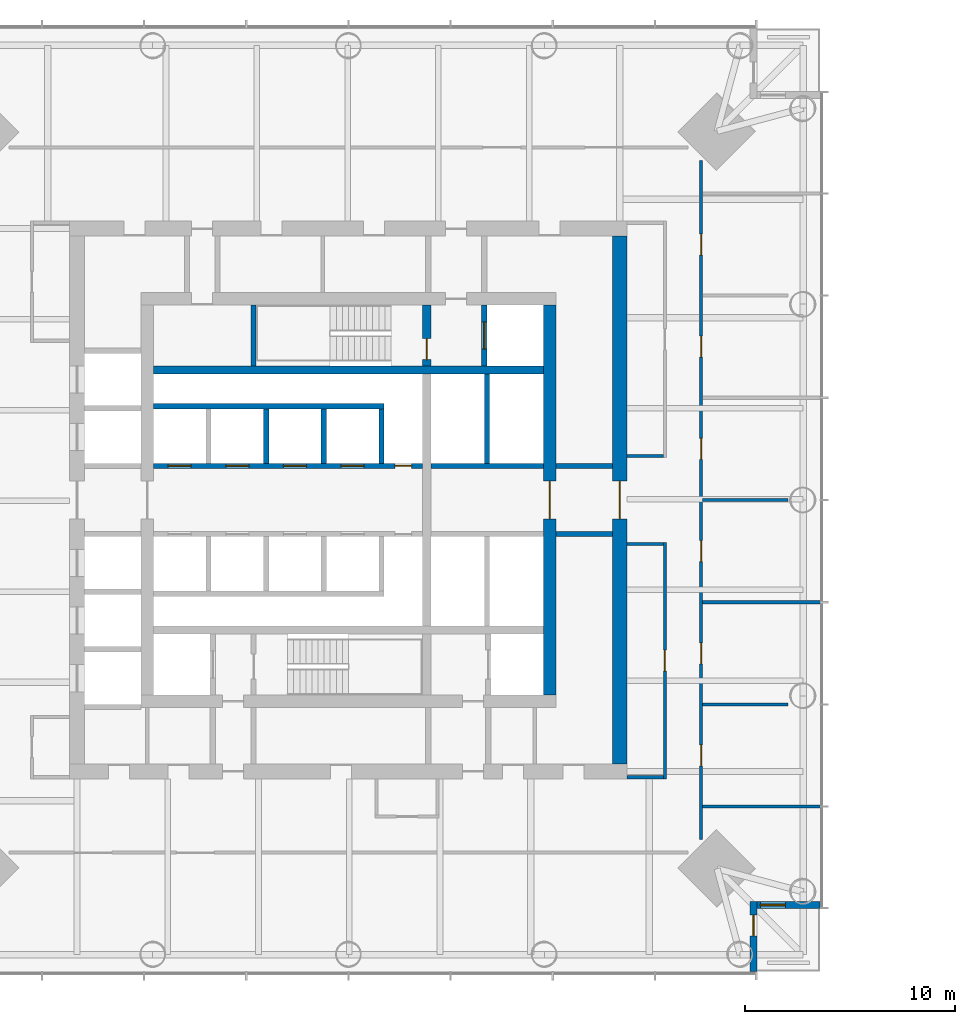
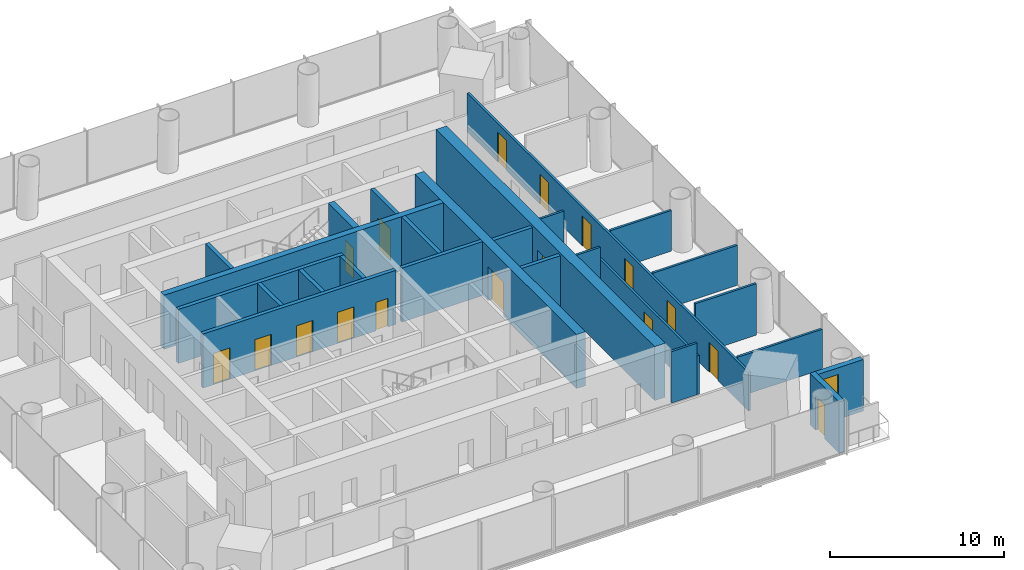
# One storey, part 10 of 18: 26 walls, 17 doors, 1 window, 18 openings.
"""IFC4 building model written with IfcOpenShell, lengths in metres."""

from ifc_helpers import new_model, si_unit, direction, frame, frame_2d, origin, place, context, subcontext, project, spatial, rectangle, extrude, material, layer, layer_set, type_object, element, fill, save


model = new_model("IFC4")

# Units and contexts
model_context = context("Model", 3, precision=1e-05, world=origin(), true_north=direction((0.0, 1.0)))
body_context = subcontext(model_context, "Body", "Model", "MODEL_VIEW")
ifc_project = project(units=[si_unit("LENGTHUNIT", "METRE"), si_unit("AREAUNIT", "SQUARE_METRE"), si_unit("VOLUMEUNIT", "CUBIC_METRE"), si_unit("PLANEANGLEUNIT", "RADIAN"), si_unit("MASSUNIT", "GRAM", prefix="KILO")], contexts=[model_context])

# Site, building, storey
site_placement = place(None, origin())
site = spatial("IfcSite", under=ifc_project, at=site_placement, CompositionType="ELEMENT")
building_placement = place(site_placement, origin())
building = spatial("IfcBuilding", under=site, at=building_placement, Name="Ostroluk Exchange", CompositionType="ELEMENT")
storey_placement = place(building_placement, frame((0.0, 0.0, 93.199951171875)))
storey = spatial("IfcBuildingStorey", under=building, at=storey_placement, Name="L23", CompositionType="ELEMENT", Elevation=93.199951171875)

# Walls
ifc_material_1 = material(Name="Concrete blockwork", Category="masonry")
ifc_layer_1 = layer(ifc_material_1, 0.25)
ifc_layer_set_1 = layer_set([ifc_layer_1], Name="Blockwork stair enclosure wall 250")
wall_type_1 = type_object("IfcWallType", Name="Blockwork stair enclosure wall 250", PredefinedType="SOLIDWALL", material=ifc_layer_set_1)
for number, where, z_axis, x_axis, name in (
    (1, (54.89990234375, 44.375, 0.0), (0.0, 0.0, 1.0), (1.0, 0.0, 0.0), "Lift lobby enclosure wall"),
    (2, (54.89990234375, 47.625, 0.0), (0.0, 0.0, 1.0), (1.0, 0.0, 0.0), "Lift lobby enclosure wall"),
):
    element("IfcWall", number, at=place(storey_placement, frame(where, z_axis=z_axis, x_axis=x_axis)), inside=storey, type_object=wall_type_1, Name=name, PredefinedType="SOLIDWALL", context=body_context, shape_type="SweptSolid", body=[
        extrude(rectangle(XDim=2.7001953125, YDim=0.25, at=frame_2d((1.35009765625, 0.0))), origin(), (0.0, 0.0, 1.0), 3.6201171875),
    ])
ifc_material_2 = material(Name="Concrete C50/60", Category="concrete")
ifc_layer_2 = layer(ifc_material_2, 0.39990234375)
ifc_layer_set_2 = layer_set([ifc_layer_2], Name="Core cross wall 400 C50/60")
wall_type_2 = type_object("IfcWallType", Name="Core cross wall 400 C50/60", PredefinedType="SHEAR", material=ifc_layer_set_2)
wall_1_placement = place(storey_placement, frame((35.699951171875, 52.199951171875, 0.0), z_axis=(0.0, 0.0, 1.0), x_axis=(1.0, 0.0, 0.0)))
element("IfcWall", 3, at=wall_1_placement, inside=storey, type_object=wall_type_2, Name="T1 core wall XN", PredefinedType="SHEAR", context=body_context, shape_type="SweptSolid", body=[
    extrude(rectangle(XDim=18.60009765625, YDim=0.39990234375, at=frame_2d((9.300048828125, 0.0))), origin(), (0.0, 0.0, 1.0), 3.800048828125),
])

# Wall, opening, door
wall_2_placement = place(storey_placement, frame((48.72998046875, 52.39990234375, 0.0), z_axis=(0.0, 0.0, 1.0), x_axis=(0.0, 1.0, 0.0)))
wall_2 = element("IfcWall", 4, at=wall_2_placement, inside=storey, type_object=wall_type_2, Name="T1 core wall YE3", PredefinedType="SHEAR", context=body_context, shape_type="SweptSolid", body=[
    extrude(rectangle(XDim=2.900146484375, YDim=0.39990234375, at=frame_2d((1.4501953125, 0.0))), origin(), (0.0, 0.0, 1.0), 3.800048828125),
])
opening_1_placement = place(wall_2_placement, frame((0.300048828125, 0.0, 0.0)))
opening_1 = element("IfcOpeningElement", 5, at=opening_1_placement, cuts=wall_2, Name="Opening FD60", PredefinedType="OPENING", context=body_context, shape_type="SweptSolid", body=[
    extrude(rectangle(XDim=1.0, YDim=2.10009765625, at=frame_2d((0.5, 1.050048828125))), frame((0.0, 0.2099609375, 0.0), z_axis=(0.0, -1.0, 0.0), x_axis=(1.0, 0.0, 0.0)), (0.0, 0.0, 1.0), 0.419921875),
])
ifc_material_3 = material(Name="Steel", Category="steel")
door_type_1 = type_object("IfcDoorType", Name="Fire door EI 60 1000 x 2100", OperationType="SINGLE_SWING_LEFT", PredefinedType="DOOR", material=ifc_material_3)
door_1_placement = place(opening_1_placement, origin())
door_1 = element("IfcDoor", 6, at=door_1_placement, inside=storey, type_object=door_type_1, Name="Stair T1-S2 door", OperationType="SINGLE_SWING_LEFT", OverallHeight=2.10009765625, OverallWidth=1.0, PredefinedType="DOOR", context=body_context, shape_type="SweptSolid", body=[
    extrude(rectangle(XDim=1.0, YDim=2.10009765625, at=frame_2d((0.5, 1.050048828125))), frame((0.0, 0.02490234375, 0.0), z_axis=(0.0, -1.0, 0.0), x_axis=(1.0, 0.0, 0.0)), (0.0, 0.0, 1.0), 0.050048828125),
])
fill(opening_1, door_1)

# Wall
ifc_material_4 = material(Name="Concrete C40/50", Category="concrete")
ifc_layer_3 = layer(ifc_material_4, 0.25)
ifc_layer_set_3 = layer_set([ifc_layer_3], Name="Core shaft wall 250")
wall_type_3 = type_object("IfcWallType", Name="Core shaft wall 250", PredefinedType="SHEAR", material=ifc_layer_set_3)
wall_3_placement = place(storey_placement, frame((40.47509765625, 52.39990234375, 0.0), z_axis=(0.0, 0.0, 1.0), x_axis=(0.0, 1.0, 0.0)))
element("IfcWall", 7, at=wall_3_placement, inside=storey, type_object=wall_type_3, Name="Stair shaft wall", PredefinedType="SHEAR", context=body_context, shape_type="SweptSolid", body=[
    extrude(rectangle(XDim=2.900146484375, YDim=0.25, at=frame_2d((1.4501953125, 0.0))), origin(), (0.0, 0.0, 1.0), 3.800048828125),
])

# Wall, opening, door
wall_4_placement = place(storey_placement, frame((51.47509765625, 52.39990234375, 0.0), z_axis=(0.0, 0.0, 1.0), x_axis=(0.0, 1.0, 0.0)))
wall_4 = element("IfcWall", 8, at=wall_4_placement, inside=storey, type_object=wall_type_3, Name="Firefighting lift shaft wall", PredefinedType="SHEAR", context=body_context, shape_type="SweptSolid", body=[
    extrude(rectangle(XDim=2.900146484375, YDim=0.25, at=frame_2d((1.4501953125, 0.0))), origin(), (0.0, 0.0, 1.0), 3.800048828125),
])
opening_2_placement = place(wall_4_placement, frame((0.800048828125, 0.0, 0.0)))
opening_2 = element("IfcOpeningElement", 9, at=opening_2_placement, cuts=wall_4, Name="Opening LD2", PredefinedType="OPENING", context=body_context, shape_type="SweptSolid", body=[
    extrude(rectangle(XDim=1.300048828125, YDim=2.199951171875, at=frame_2d((0.64990234375, 1.10009765625))), frame((0.0, 0.135009765625, 0.0), z_axis=(0.0, -1.0, 0.0), x_axis=(1.0, 0.0, 0.0)), (0.0, 0.0, 1.0), 0.27001953125),
])
ifc_material_5 = material(Name="Stainless steel", Category="steel")
door_type_2 = type_object("IfcDoorType", Name="Lift landing door E 60 1300 x 2200", OperationType="DOUBLE_DOOR_SLIDING", PredefinedType="DOOR", material=ifc_material_5)
door_2_placement = place(opening_2_placement, origin())
door_2 = element("IfcDoor", 10, at=door_2_placement, inside=storey, type_object=door_type_2, Name="Lift FL2 landing door", OperationType="DOUBLE_DOOR_SLIDING", OverallHeight=2.199951171875, OverallWidth=1.300048828125, PredefinedType="DOOR", context=body_context, shape_type="SweptSolid", body=[
    extrude(rectangle(XDim=1.300048828125, YDim=2.199951171875, at=frame_2d((0.64990234375, 1.10009765625))), frame((0.0, 0.02490234375, 0.0), z_axis=(0.0, -1.0, 0.0), x_axis=(1.0, 0.0, 0.0)), (0.0, 0.0, 1.0), 0.050048828125),
])
fill(opening_2, door_2)

# Walls
for number, where, z_axis, x_axis, name in (
    (11, (41.074951171875, 47.75, 0.0), (0.0, 0.0, 1.0), (0.0, 1.0, 0.0), "Lift shaft wall"),
    (12, (43.824951171875, 47.75, 0.0), (0.0, 0.0, 1.0), (0.0, 1.0, 0.0), "Lift shaft wall"),
    (13, (46.574951171875, 47.75, 0.0), (0.0, 0.0, 1.0), (0.0, 1.0, 0.0), "Lift shaft wall"),
):
    element("IfcWall", number, at=place(storey_placement, frame(where, z_axis=z_axis, x_axis=x_axis)), inside=storey, type_object=wall_type_3, Name=name, PredefinedType="SHEAR", context=body_context, shape_type="SweptSolid", body=[
        extrude(rectangle(XDim=2.60009765625, YDim=0.25, at=frame_2d((1.300048828125, 0.0))), origin(), (0.0, 0.0, 1.0), 3.800048828125),
    ])
wall_5_placement = place(storey_placement, frame((35.699951171875, 50.47509765625, 0.0), z_axis=(0.0, 0.0, 1.0), x_axis=(1.0, 0.0, 0.0)))
element("IfcWall", 14, at=wall_5_placement, inside=storey, type_object=wall_type_3, Name="Lift shaft wall", PredefinedType="SHEAR", context=body_context, shape_type="SweptSolid", body=[
    extrude(rectangle(XDim=11.0, YDim=0.25, at=frame_2d((5.5, 0.0))), origin(), (0.0, 0.0, 1.0), 3.800048828125),
])

# Wall, openings, doors
wall_6_placement = place(storey_placement, frame((35.699951171875, 47.625, 0.0), z_axis=(0.0, 0.0, 1.0), x_axis=(1.0, 0.0, 0.0)))
wall_6 = element("IfcWall", 15, at=wall_6_placement, inside=storey, type_object=wall_type_3, Name="Lift shaft front wall", PredefinedType="SHEAR", context=body_context, shape_type="SweptSolid", body=[
    extrude(rectangle(XDim=12.830078125, YDim=0.25, at=frame_2d((6.4150390625, 0.0))), origin(), (0.0, 0.0, 1.0), 3.800048828125),
])
opening_3_placement = place(wall_6_placement, frame((0.699951171875, 0.0, 0.0)))
opening_3 = element("IfcOpeningElement", 16, at=opening_3_placement, cuts=wall_6, Name="Opening LD", PredefinedType="OPENING", context=body_context, shape_type="SweptSolid", body=[
    extrude(rectangle(XDim=1.10009765625, YDim=2.199951171875, at=frame_2d((0.550048828125, 1.10009765625))), frame((0.0, 0.135009765625, 0.0), z_axis=(0.0, -1.0, 0.0), x_axis=(1.0, 0.0, 0.0)), (0.0, 0.0, 1.0), 0.27001953125),
])
opening_4_placement = place(wall_6_placement, frame((3.449951171875, 0.0, 0.0)))
opening_4 = element("IfcOpeningElement", 17, at=opening_4_placement, cuts=wall_6, Name="Opening LD", PredefinedType="OPENING", context=body_context, shape_type="SweptSolid", body=[
    extrude(rectangle(XDim=1.10009765625, YDim=2.199951171875, at=frame_2d((0.550048828125, 1.10009765625))), frame((0.0, 0.135009765625, 0.0), z_axis=(0.0, -1.0, 0.0), x_axis=(1.0, 0.0, 0.0)), (0.0, 0.0, 1.0), 0.27001953125),
])
opening_5_placement = place(wall_6_placement, frame((6.199951171875, 0.0, 0.0)))
opening_5 = element("IfcOpeningElement", 18, at=opening_5_placement, cuts=wall_6, Name="Opening LD", PredefinedType="OPENING", context=body_context, shape_type="SweptSolid", body=[
    extrude(rectangle(XDim=1.10009765625, YDim=2.199951171875, at=frame_2d((0.550048828125, 1.10009765625))), frame((0.0, 0.135009765625, 0.0), z_axis=(0.0, -1.0, 0.0), x_axis=(1.0, 0.0, 0.0)), (0.0, 0.0, 1.0), 0.27001953125),
])
opening_6_placement = place(wall_6_placement, frame((8.949951171875, 0.0, 0.0)))
opening_6 = element("IfcOpeningElement", 19, at=opening_6_placement, cuts=wall_6, Name="Opening LD", PredefinedType="OPENING", context=body_context, shape_type="SweptSolid", body=[
    extrude(rectangle(XDim=1.10009765625, YDim=2.199951171875, at=frame_2d((0.550048828125, 1.10009765625))), frame((0.0, 0.135009765625, 0.0), z_axis=(0.0, -1.0, 0.0), x_axis=(1.0, 0.0, 0.0)), (0.0, 0.0, 1.0), 0.27001953125),
])
opening_7_placement = place(wall_6_placement, frame((11.514892578125, 0.0, 0.0)))
opening_7 = element("IfcOpeningElement", 20, at=opening_7_placement, cuts=wall_6, Name="Opening RD60", PredefinedType="OPENING", context=body_context, shape_type="SweptSolid", body=[
    extrude(rectangle(XDim=0.800048828125, YDim=2.0, at=frame_2d((0.39990234375, 1.0))), frame((0.0, 0.135009765625, 0.0), z_axis=(0.0, -1.0, 0.0), x_axis=(1.0, 0.0, 0.0)), (0.0, 0.0, 1.0), 0.27001953125),
])
ifc_material_6 = material(Name="Stainless steel", Category="steel")
door_type_3 = type_object("IfcDoorType", Name="Lift landing door E 60 1100 x 2200", OperationType="DOUBLE_DOOR_SLIDING", PredefinedType="DOOR", material=ifc_material_6)
door_3_placement = place(opening_3_placement, origin())
door_3 = element("IfcDoor", 21, at=door_3_placement, inside=storey, type_object=door_type_3, Name="Lift PL-M1 landing door", OperationType="DOUBLE_DOOR_SLIDING", OverallHeight=2.199951171875, OverallWidth=1.10009765625, PredefinedType="DOOR", context=body_context, shape_type="SweptSolid", body=[
    extrude(rectangle(XDim=1.10009765625, YDim=2.199951171875, at=frame_2d((0.550048828125, 1.10009765625))), frame((0.0, 0.02490234375, 0.0), z_axis=(0.0, -1.0, 0.0), x_axis=(1.0, 0.0, 0.0)), (0.0, 0.0, 1.0), 0.050048828125),
])
fill(opening_3, door_3)
door_4_placement = place(opening_4_placement, origin())
door_4 = element("IfcDoor", 22, at=door_4_placement, inside=storey, type_object=door_type_3, Name="Lift PL-M2 landing door", OperationType="DOUBLE_DOOR_SLIDING", OverallHeight=2.199951171875, OverallWidth=1.10009765625, PredefinedType="DOOR", context=body_context, shape_type="SweptSolid", body=[
    extrude(rectangle(XDim=1.10009765625, YDim=2.199951171875, at=frame_2d((0.550048828125, 1.10009765625))), frame((0.0, 0.02490234375, 0.0), z_axis=(0.0, -1.0, 0.0), x_axis=(1.0, 0.0, 0.0)), (0.0, 0.0, 1.0), 0.050048828125),
])
fill(opening_4, door_4)
door_5_placement = place(opening_5_placement, origin())
door_5 = element("IfcDoor", 23, at=door_5_placement, inside=storey, type_object=door_type_3, Name="Lift PL-M3 landing door", OperationType="DOUBLE_DOOR_SLIDING", OverallHeight=2.199951171875, OverallWidth=1.10009765625, PredefinedType="DOOR", context=body_context, shape_type="SweptSolid", body=[
    extrude(rectangle(XDim=1.10009765625, YDim=2.199951171875, at=frame_2d((0.550048828125, 1.10009765625))), frame((0.0, 0.02490234375, 0.0), z_axis=(0.0, -1.0, 0.0), x_axis=(1.0, 0.0, 0.0)), (0.0, 0.0, 1.0), 0.050048828125),
])
fill(opening_5, door_5)
door_6_placement = place(opening_6_placement, origin())
door_6 = element("IfcDoor", 24, at=door_6_placement, inside=storey, type_object=door_type_3, Name="Lift PL-M4 landing door", OperationType="DOUBLE_DOOR_SLIDING", OverallHeight=2.199951171875, OverallWidth=1.10009765625, PredefinedType="DOOR", context=body_context, shape_type="SweptSolid", body=[
    extrude(rectangle(XDim=1.10009765625, YDim=2.199951171875, at=frame_2d((0.550048828125, 1.10009765625))), frame((0.0, 0.02490234375, 0.0), z_axis=(0.0, -1.0, 0.0), x_axis=(1.0, 0.0, 0.0)), (0.0, 0.0, 1.0), 0.050048828125),
])
fill(opening_6, door_6)
ifc_material_7 = material(Name="Steel", Category="steel")
door_type_4 = type_object("IfcDoorType", Name="Riser access door EI 60 800 x 2000", OperationType="SINGLE_SWING_LEFT", PredefinedType="DOOR", material=ifc_material_7)
door_7_placement = place(opening_7_placement, origin())
door_7 = element("IfcDoor", 25, at=door_7_placement, inside=storey, type_object=door_type_4, Name="Riser access door", OperationType="SINGLE_SWING_RIGHT", OverallHeight=2.0, OverallWidth=0.800048828125, PredefinedType="DOOR", context=body_context, shape_type="SweptSolid", body=[
    extrude(rectangle(XDim=0.800048828125, YDim=2.0, at=frame_2d((0.39990234375, 1.0))), frame((0.0, 0.02490234375, 0.0), z_axis=(0.0, -1.0, 0.0), x_axis=(1.0, 0.0, 0.0)), (0.0, 0.0, 1.0), 0.050048828125),
])
fill(opening_7, door_7)

# Walls
wall_7_placement = place(storey_placement, frame((51.614990234375, 47.75, 0.0), z_axis=(0.0, 0.0, 1.0), x_axis=(0.0, 1.0, 0.0)))
element("IfcWall", 26, at=wall_7_placement, inside=storey, type_object=wall_type_3, Name="Lift shaft wall", PredefinedType="SHEAR", context=body_context, shape_type="SweptSolid", body=[
    extrude(rectangle(XDim=4.25, YDim=0.25, at=frame_2d((2.125, 0.0))), origin(), (0.0, 0.0, 1.0), 3.800048828125),
])
wall_8_placement = place(storey_placement, frame((48.929931640625, 47.625, 0.0), z_axis=(0.0, 0.0, 1.0), x_axis=(1.0, 0.0, 0.0)))
element("IfcWall", 27, at=wall_8_placement, inside=storey, type_object=wall_type_3, Name="Lift shaft front wall", PredefinedType="SHEAR", context=body_context, shape_type="SweptSolid", body=[
    extrude(rectangle(XDim=5.3701171875, YDim=0.25, at=frame_2d((2.68505859375, 0.0))), origin(), (0.0, 0.0, 1.0), 3.800048828125),
])

# Wall, opening, door
ifc_material_8 = material(Name="Concrete C50/60", Category="concrete")
ifc_layer_4 = layer(ifc_material_8, 0.60009765625)
ifc_layer_set_4 = layer_set([ifc_layer_4], Name="Core wall 600 C50/60")
wall_type_4 = type_object("IfcWallType", Name="Core wall 600 C50/60", PredefinedType="SHEAR", material=ifc_layer_set_4)
wall_9_placement = place(storey_placement, frame((54.60009765625, 36.699951171875, 0.0), z_axis=(0.0, 0.0, 1.0), x_axis=(0.0, 1.0, 0.0)))
wall_9 = element("IfcWall", 28, at=wall_9_placement, inside=storey, type_object=wall_type_4, Name="T1 core wall E", PredefinedType="SHEAR", context=body_context, shape_type="SweptSolid", body=[
    extrude(rectangle(XDim=18.60009765625, YDim=0.60009765625, at=frame_2d((9.300048828125, 0.0))), origin(), (0.0, 0.0, 1.0), 3.800048828125),
])
opening_8_placement = place(wall_9_placement, frame((8.39990234375, 0.0, 0.0)))
opening_8 = element("IfcOpeningElement", 29, at=opening_8_placement, cuts=wall_9, Name="Opening FD30D", PredefinedType="OPENING", context=body_context, shape_type="SweptSolid", body=[
    extrude(rectangle(XDim=1.800048828125, YDim=2.39990234375, at=frame_2d((0.89990234375, 1.199951171875))), frame((0.0, 0.31005859375, 0.0), z_axis=(0.0, -1.0, 0.0), x_axis=(1.0, 0.0, 0.0)), (0.0, 0.0, 1.0), 0.6201171875),
])
ifc_material_9 = material(Name="Timber", Category="wood")
door_type_5 = type_object("IfcDoorType", Name="Lobby double door EI 30 1800 x 2400", OperationType="DOUBLE_DOOR_SINGLE_SWING", PredefinedType="DOOR", material=ifc_material_9)
door_8_placement = place(opening_8_placement, origin())
door_8 = element("IfcDoor", 30, at=door_8_placement, inside=storey, type_object=door_type_5, Name="Lift lobby doors", OperationType="DOUBLE_DOOR_SINGLE_SWING", OverallHeight=2.39990234375, OverallWidth=1.800048828125, PredefinedType="DOOR", context=body_context, shape_type="SweptSolid", body=[
    extrude(rectangle(XDim=1.800048828125, YDim=2.39990234375, at=frame_2d((0.89990234375, 1.199951171875))), frame((0.0, 0.02490234375, 0.0), z_axis=(0.0, -1.0, 0.0), x_axis=(1.0, 0.0, 0.0)), (0.0, 0.0, 1.0), 0.050048828125),
])
fill(opening_8, door_8)

ifc_material_10 = material(Name="Concrete C50/60", Category="concrete")
ifc_layer_5 = layer(ifc_material_10, 0.699951171875)
ifc_layer_set_5 = layer_set([ifc_layer_5], Name="Core wall 700 C50/60")
wall_type_5 = type_object("IfcWallType", Name="Core wall 700 C50/60", PredefinedType="SHEAR", material=ifc_layer_set_5)
wall_10_placement = place(storey_placement, frame((57.949951171875, 33.39990234375, 0.0), z_axis=(0.0, 0.0, 1.0), x_axis=(0.0, 1.0, 0.0)))
wall_10 = element("IfcWall", 31, at=wall_10_placement, inside=storey, type_object=wall_type_5, Name="T1 core wall RE", PredefinedType="SHEAR", context=body_context, shape_type="SweptSolid", body=[
    extrude(rectangle(XDim=25.2001953125, YDim=0.699951171875, at=frame_2d((12.60009765625, 0.0))), origin(), (0.0, 0.0, 1.0), 3.800048828125),
])
opening_9_placement = place(wall_10_placement, frame((11.699951171875, 0.0, 0.0)))
opening_9 = element("IfcOpeningElement", 32, at=opening_9_placement, cuts=wall_10, Name="Opening FD30D", PredefinedType="OPENING", context=body_context, shape_type="SweptSolid", body=[
    extrude(rectangle(XDim=1.800048828125, YDim=2.39990234375, at=frame_2d((0.89990234375, 1.199951171875))), frame((0.0, 0.35986328125, 0.0), z_axis=(0.0, -1.0, 0.0), x_axis=(1.0, 0.0, 0.0)), (0.0, 0.0, 1.0), 0.719970703125),
])
door_9_placement = place(opening_9_placement, origin())
door_9 = element("IfcDoor", 33, at=door_9_placement, inside=storey, type_object=door_type_5, Name="Lift lobby doors", OperationType="DOUBLE_DOOR_SINGLE_SWING", OverallHeight=2.39990234375, OverallWidth=1.800048828125, PredefinedType="DOOR", context=body_context, shape_type="SweptSolid", body=[
    extrude(rectangle(XDim=1.800048828125, YDim=2.39990234375, at=frame_2d((0.89990234375, 1.199951171875))), frame((0.0, 0.02490234375, 0.0), z_axis=(0.0, -1.0, 0.0), x_axis=(1.0, 0.0, 0.0)), (0.0, 0.0, 1.0), 0.050048828125),
])
fill(opening_9, door_9)

ifc_material_11 = material(Name="Limestone", Category="masonry")
ifc_layer_6 = layer(ifc_material_11, 0.35009765625)
ifc_layer_set_6 = layer_set([ifc_layer_6], Name="Limestone facade wall 350")
wall_type_6 = type_object("IfcWallType", Name="Limestone facade wall 350", PredefinedType="SOLIDWALL", material=ifc_layer_set_6)
wall_11_placement = place(storey_placement, frame((64.324951171875, 23.5, 0.0), z_axis=(0.0, 0.0, 1.0), x_axis=(0.0, 1.0, 0.0)))
wall_11 = element("IfcWall", 34, at=wall_11_placement, inside=storey, type_object=wall_type_6, Name="Office tower SE corner wall L23 a", PredefinedType="SOLIDWALL", context=body_context, shape_type="SweptSolid", body=[
    extrude(rectangle(XDim=3.35009765625, YDim=0.35009765625, at=frame_2d((1.675048828125, 0.0))), origin(), (0.0, 0.0, 1.0), 3.6201171875),
])
opening_10_placement = place(wall_11_placement, frame((1.699951171875, 0.0, 0.0)))
opening_10 = element("IfcOpeningElement", 35, at=opening_10_placement, cuts=wall_11, Name="Opening D-B1", PredefinedType="OPENING", context=body_context, shape_type="SweptSolid", body=[
    extrude(rectangle(XDim=1.0, YDim=2.39990234375, at=frame_2d((0.5, 1.199951171875))), frame((0.0, 0.18505859375, 0.0), z_axis=(0.0, -1.0, 0.0), x_axis=(1.0, 0.0, 0.0)), (0.0, 0.0, 1.0), 0.3701171875),
])
ifc_material_12 = material(Name="Bronze framed glazed door", Category="aluminium")
door_type_6 = type_object("IfcDoorType", Name="Balcony door 1000 x 2400", OperationType="SINGLE_SWING_LEFT", PredefinedType="DOOR", material=ifc_material_12)
door_10_placement = place(opening_10_placement, origin())
door_10 = element("IfcDoor", 36, at=door_10_placement, inside=storey, type_object=door_type_6, Name="Office tower SE balcony door L23", OperationType="SINGLE_SWING_RIGHT", OverallHeight=2.39990234375, OverallWidth=1.0, PredefinedType="DOOR", context=body_context, shape_type="SweptSolid", body=[
    extrude(rectangle(XDim=1.0, YDim=2.39990234375, at=frame_2d((0.5, 1.199951171875))), frame((0.0, 0.02490234375, 0.0), z_axis=(0.0, -1.0, 0.0), x_axis=(1.0, 0.0, 0.0)), (0.0, 0.0, 1.0), 0.050048828125),
])
fill(opening_10, door_10)

# Wall, opening, window
wall_12_placement = place(storey_placement, frame((64.5, 26.675048828125, 0.0), z_axis=(0.0, 0.0, 1.0), x_axis=(1.0, 0.0, 0.0)))
wall_12 = element("IfcWall", 37, at=wall_12_placement, inside=storey, type_object=wall_type_6, Name="Office tower SE corner wall L23 b", PredefinedType="SOLIDWALL", context=body_context, shape_type="SweptSolid", body=[
    extrude(rectangle(XDim=3.0, YDim=0.35009765625, at=frame_2d((1.5, 0.0))), origin(), (0.0, 0.0, 1.0), 3.6201171875),
])
opening_11_placement = place(wall_12_placement, frame((0.14990234375, 0.0, 0.60009765625)))
opening_11 = element("IfcOpeningElement", 38, at=opening_11_placement, cuts=wall_12, Name="Opening WN-L1", PredefinedType="OPENING", context=body_context, shape_type="SweptSolid", body=[
    extrude(rectangle(XDim=1.199951171875, YDim=2.550048828125, at=frame_2d((0.60009765625, 1.27490234375))), frame((0.0, 0.18505859375, 0.0), z_axis=(0.0, -1.0, 0.0), x_axis=(1.0, 0.0, 0.0)), (0.0, 0.0, 1.0), 0.3701171875),
])
ifc_material_13 = material(Name="Laminated clear glass", Category="glass")
window_type = type_object("IfcWindowType", Name="Lancet window 1200 x 2550", PartitioningType="SINGLE_PANEL", PredefinedType="WINDOW", material=ifc_material_13)
window_placement = place(opening_11_placement, origin())
window = element("IfcWindow", 39, at=window_placement, inside=storey, type_object=window_type, Name="Office tower SE lancet window L23", OverallHeight=2.550048828125, OverallWidth=1.199951171875, PartitioningType="SINGLE_PANEL", PredefinedType="WINDOW", context=body_context, shape_type="SweptSolid", body=[
    extrude(rectangle(XDim=1.199951171875, YDim=2.550048828125, at=frame_2d((0.60009765625, 1.27490234375))), frame((0.0, 0.030029296875, 0.0), z_axis=(0.0, -1.0, 0.0), x_axis=(1.0, 0.0, 0.0)), (0.0, 0.0, 1.0), 0.06005859375),
])
fill(opening_11, window)

# Wall, opening, door
ifc_material_14 = material(Name="Gypsum plasterboard partition", Category="gypsum")
ifc_layer_7 = layer(ifc_material_14, 0.14990234375)
ifc_layer_set_7 = layer_set([ifc_layer_7], Name="Plasterboard partition 150")
wall_type_7 = type_object("IfcWallType", Name="Plasterboard partition 150", PredefinedType="PARTITIONING", material=ifc_layer_set_7)
wall_13_placement = place(storey_placement, frame((60.10009765625, 32.699951171875, 0.0), z_axis=(0.0, 0.0, 1.0), x_axis=(0.0, 1.0, 0.0)))
wall_13 = element("IfcWall", 40, at=wall_13_placement, inside=storey, type_object=wall_type_7, Name="Partition", PredefinedType="PARTITIONING", context=body_context, shape_type="SweptSolid", body=[
    extrude(rectangle(XDim=11.275146484375, YDim=0.14990234375, at=frame_2d((5.6376953125, 0.0))), origin(), (0.0, 0.0, 1.0), 2.719970703125),
])
opening_12_placement = place(wall_13_placement, frame((5.137451171875, 0.0, 0.0)))
opening_12 = element("IfcOpeningElement", 41, at=opening_12_placement, cuts=wall_13, Name="Opening D-03", PredefinedType="OPENING", context=body_context, shape_type="SweptSolid", body=[
    extrude(rectangle(XDim=1.0, YDim=2.10009765625, at=frame_2d((0.5, 1.050048828125))), frame((0.0, 0.0849609375, 0.0), z_axis=(0.0, -1.0, 0.0), x_axis=(1.0, 0.0, 0.0)), (0.0, 0.0, 1.0), 0.169921875),
])
ifc_material_15 = material(Name="Timber", Category="wood")
door_type_7 = type_object("IfcDoorType", Name="Internal door 1000 x 2100", OperationType="SINGLE_SWING_LEFT", PredefinedType="DOOR", material=ifc_material_15)
door_11_placement = place(opening_12_placement, origin())
door_11 = element("IfcDoor", 42, at=door_11_placement, inside=storey, type_object=door_type_7, Name="Meeting room door", OperationType="SINGLE_SWING_RIGHT", OverallHeight=2.10009765625, OverallWidth=1.0, PredefinedType="DOOR", context=body_context, shape_type="SweptSolid", body=[
    extrude(rectangle(XDim=1.0, YDim=2.10009765625, at=frame_2d((0.5, 1.050048828125))), frame((0.0, 0.02490234375, 0.0), z_axis=(0.0, -1.0, 0.0), x_axis=(1.0, 0.0, 0.0)), (0.0, 0.0, 1.0), 0.050048828125),
])
fill(opening_12, door_11)

# Walls
for number, where, z_axis, x_axis, name in (
    (43, (58.300048828125, 32.77490234375, 0.0), (0.0, 0.0, 1.0), (1.0, 0.0, 0.0), "Partition"),
    (44, (58.300048828125, 43.89990234375, 0.0), (0.0, 0.0, 1.0), (1.0, 0.0, 0.0), "Partition"),
    (45, (58.300048828125, 48.10009765625, 0.0), (0.0, 0.0, 1.0), (1.0, 0.0, 0.0), "Partition"),
):
    element("IfcWall", number, at=place(storey_placement, frame(where, z_axis=z_axis, x_axis=x_axis)), inside=storey, type_object=wall_type_7, Name=name, PredefinedType="PARTITIONING", context=body_context, shape_type="SweptSolid", body=[
        extrude(rectangle(XDim=1.724853515625, YDim=0.14990234375, at=frame_2d((0.8623046875, 0.0))), origin(), (0.0, 0.0, 1.0), 3.6201171875),
    ])

# Wall, openings, doors
wall_14_placement = place(storey_placement, frame((61.824951171875, 29.795654296875, 0.0), z_axis=(0.0, 0.0, 1.0), x_axis=(0.0, 1.0, 0.0)))
wall_14 = element("IfcWall", 46, at=wall_14_placement, inside=storey, type_object=wall_type_7, Name="Partition", PredefinedType="PARTITIONING", context=body_context, shape_type="SweptSolid", body=[
    extrude(rectangle(XDim=32.40869140625, YDim=0.14990234375, at=frame_2d((16.204345703125, 0.0))), origin(), (0.0, 0.0, 1.0), 2.719970703125),
])
opening_13_placement = place(wall_14_placement, frame((3.516845703125, 0.0, 0.0)))
opening_13 = element("IfcOpeningElement", 47, at=opening_13_placement, cuts=wall_14, Name="Opening D-03", PredefinedType="OPENING", context=body_context, shape_type="SweptSolid", body=[
    extrude(rectangle(XDim=1.0, YDim=2.10009765625, at=frame_2d((0.5, 1.050048828125))), frame((0.0, 0.0849609375, 0.0), z_axis=(0.0, -1.0, 0.0), x_axis=(1.0, 0.0, 0.0)), (0.0, 0.0, 1.0), 0.169921875),
])
opening_14_placement = place(wall_14_placement, frame((8.391845703125, 0.0, 0.0)))
opening_14 = element("IfcOpeningElement", 48, at=opening_14_placement, cuts=wall_14, Name="Opening D-03", PredefinedType="OPENING", context=body_context, shape_type="SweptSolid", body=[
    extrude(rectangle(XDim=1.0, YDim=2.10009765625, at=frame_2d((0.5, 1.050048828125))), frame((0.0, 0.0849609375, 0.0), z_axis=(0.0, -1.0, 0.0), x_axis=(1.0, 0.0, 0.0)), (0.0, 0.0, 1.0), 0.169921875),
])
opening_15_placement = place(wall_14_placement, frame((13.266845703125, 0.0, 0.0)))
opening_15 = element("IfcOpeningElement", 49, at=opening_15_placement, cuts=wall_14, Name="Opening D-03", PredefinedType="OPENING", context=body_context, shape_type="SweptSolid", body=[
    extrude(rectangle(XDim=1.0, YDim=2.10009765625, at=frame_2d((0.5, 1.050048828125))), frame((0.0, 0.0849609375, 0.0), z_axis=(0.0, -1.0, 0.0), x_axis=(1.0, 0.0, 0.0)), (0.0, 0.0, 1.0), 0.169921875),
])
opening_16_placement = place(wall_14_placement, frame((18.141845703125, 0.0, 0.0)))
opening_16 = element("IfcOpeningElement", 50, at=opening_16_placement, cuts=wall_14, Name="Opening D-03", PredefinedType="OPENING", context=body_context, shape_type="SweptSolid", body=[
    extrude(rectangle(XDim=1.0, YDim=2.10009765625, at=frame_2d((0.5, 1.050048828125))), frame((0.0, 0.0849609375, 0.0), z_axis=(0.0, -1.0, 0.0), x_axis=(1.0, 0.0, 0.0)), (0.0, 0.0, 1.0), 0.169921875),
])
opening_17_placement = place(wall_14_placement, frame((23.016845703125, 0.0, 0.0)))
opening_17 = element("IfcOpeningElement", 51, at=opening_17_placement, cuts=wall_14, Name="Opening D-03", PredefinedType="OPENING", context=body_context, shape_type="SweptSolid", body=[
    extrude(rectangle(XDim=1.0, YDim=2.10009765625, at=frame_2d((0.5, 1.050048828125))), frame((0.0, 0.0849609375, 0.0), z_axis=(0.0, -1.0, 0.0), x_axis=(1.0, 0.0, 0.0)), (0.0, 0.0, 1.0), 0.169921875),
])
opening_18_placement = place(wall_14_placement, frame((27.891845703125, 0.0, 0.0)))
opening_18 = element("IfcOpeningElement", 52, at=opening_18_placement, cuts=wall_14, Name="Opening D-03", PredefinedType="OPENING", context=body_context, shape_type="SweptSolid", body=[
    extrude(rectangle(XDim=1.0, YDim=2.10009765625, at=frame_2d((0.5, 1.050048828125))), frame((0.0, 0.0849609375, 0.0), z_axis=(0.0, -1.0, 0.0), x_axis=(1.0, 0.0, 0.0)), (0.0, 0.0, 1.0), 0.169921875),
])
door_12_placement = place(opening_13_placement, origin())
door_12 = element("IfcDoor", 53, at=door_12_placement, inside=storey, type_object=door_type_7, Name="Office door", OperationType="SINGLE_SWING_LEFT", OverallHeight=2.10009765625, OverallWidth=1.0, PredefinedType="DOOR", context=body_context, shape_type="SweptSolid", body=[
    extrude(rectangle(XDim=1.0, YDim=2.10009765625, at=frame_2d((0.5, 1.050048828125))), frame((0.0, 0.02490234375, 0.0), z_axis=(0.0, -1.0, 0.0), x_axis=(1.0, 0.0, 0.0)), (0.0, 0.0, 1.0), 0.050048828125),
])
fill(opening_13, door_12)
door_13_placement = place(opening_14_placement, origin())
door_13 = element("IfcDoor", 54, at=door_13_placement, inside=storey, type_object=door_type_7, Name="Meeting room door", OperationType="SINGLE_SWING_LEFT", OverallHeight=2.10009765625, OverallWidth=1.0, PredefinedType="DOOR", context=body_context, shape_type="SweptSolid", body=[
    extrude(rectangle(XDim=1.0, YDim=2.10009765625, at=frame_2d((0.5, 1.050048828125))), frame((0.0, 0.02490234375, 0.0), z_axis=(0.0, -1.0, 0.0), x_axis=(1.0, 0.0, 0.0)), (0.0, 0.0, 1.0), 0.050048828125),
])
fill(opening_14, door_13)
door_14_placement = place(opening_15_placement, origin())
door_14 = element("IfcDoor", 55, at=door_14_placement, inside=storey, type_object=door_type_7, Name="Pantry door", OperationType="SINGLE_SWING_LEFT", OverallHeight=2.10009765625, OverallWidth=1.0, PredefinedType="DOOR", context=body_context, shape_type="SweptSolid", body=[
    extrude(rectangle(XDim=1.0, YDim=2.10009765625, at=frame_2d((0.5, 1.050048828125))), frame((0.0, 0.02490234375, 0.0), z_axis=(0.0, -1.0, 0.0), x_axis=(1.0, 0.0, 0.0)), (0.0, 0.0, 1.0), 0.050048828125),
])
fill(opening_15, door_14)
door_15_placement = place(opening_16_placement, origin())
door_15 = element("IfcDoor", 56, at=door_15_placement, inside=storey, type_object=door_type_7, Name="Meeting room door", OperationType="SINGLE_SWING_RIGHT", OverallHeight=2.10009765625, OverallWidth=1.0, PredefinedType="DOOR", context=body_context, shape_type="SweptSolid", body=[
    extrude(rectangle(XDim=1.0, YDim=2.10009765625, at=frame_2d((0.5, 1.050048828125))), frame((0.0, 0.02490234375, 0.0), z_axis=(0.0, -1.0, 0.0), x_axis=(1.0, 0.0, 0.0)), (0.0, 0.0, 1.0), 0.050048828125),
])
fill(opening_16, door_15)
door_16_placement = place(opening_17_placement, origin())
door_16 = element("IfcDoor", 57, at=door_16_placement, inside=storey, type_object=door_type_7, Name="Office door", OperationType="SINGLE_SWING_RIGHT", OverallHeight=2.10009765625, OverallWidth=1.0, PredefinedType="DOOR", context=body_context, shape_type="SweptSolid", body=[
    extrude(rectangle(XDim=1.0, YDim=2.10009765625, at=frame_2d((0.5, 1.050048828125))), frame((0.0, 0.02490234375, 0.0), z_axis=(0.0, -1.0, 0.0), x_axis=(1.0, 0.0, 0.0)), (0.0, 0.0, 1.0), 0.050048828125),
])
fill(opening_17, door_16)
door_17_placement = place(opening_18_placement, origin())
door_17 = element("IfcDoor", 58, at=door_17_placement, inside=storey, type_object=door_type_7, Name="Office door", OperationType="SINGLE_SWING_RIGHT", OverallHeight=2.10009765625, OverallWidth=1.0, PredefinedType="DOOR", context=body_context, shape_type="SweptSolid", body=[
    extrude(rectangle(XDim=1.0, YDim=2.10009765625, at=frame_2d((0.5, 1.050048828125))), frame((0.0, 0.02490234375, 0.0), z_axis=(0.0, -1.0, 0.0), x_axis=(1.0, 0.0, 0.0)), (0.0, 0.0, 1.0), 0.050048828125),
])
fill(opening_18, door_17)

# Walls
wall_15_placement = place(storey_placement, frame((61.89990234375, 31.375, 0.0), z_axis=(0.0, 0.0, 1.0), x_axis=(1.0, 0.0, 0.0)))
element("IfcWall", 59, at=wall_15_placement, inside=storey, type_object=wall_type_7, Name="Partition", PredefinedType="PARTITIONING", context=body_context, shape_type="SweptSolid", body=[
    extrude(rectangle(XDim=5.64013671875, YDim=0.14990234375, at=frame_2d((2.820068359375, 0.0))), origin(), (0.0, 0.0, 1.0), 2.820068359375),
])
wall_16_placement = place(storey_placement, frame((61.89990234375, 36.25, 0.0), z_axis=(0.0, 0.0, 1.0), x_axis=(1.0, 0.0, 0.0)))
element("IfcWall", 60, at=wall_16_placement, inside=storey, type_object=wall_type_7, Name="Partition", PredefinedType="PARTITIONING", context=body_context, shape_type="SweptSolid", body=[
    extrude(rectangle(XDim=4.06201171875, YDim=0.14990234375, at=frame_2d((2.031005859375, 0.0))), origin(), (0.0, 0.0, 1.0), 3.6201171875),
])
wall_17_placement = place(storey_placement, frame((61.89990234375, 41.125, 0.0), z_axis=(0.0, 0.0, 1.0), x_axis=(1.0, 0.0, 0.0)))
element("IfcWall", 61, at=wall_17_placement, inside=storey, type_object=wall_type_7, Name="Partition", PredefinedType="PARTITIONING", context=body_context, shape_type="SweptSolid", body=[
    extrude(rectangle(XDim=5.64013671875, YDim=0.14990234375, at=frame_2d((2.820068359375, 0.0))), origin(), (0.0, 0.0, 1.0), 2.820068359375),
])
wall_18_placement = place(storey_placement, frame((61.89990234375, 46.0, 0.0), z_axis=(0.0, 0.0, 1.0), x_axis=(1.0, 0.0, 0.0)))
element("IfcWall", 62, at=wall_18_placement, inside=storey, type_object=wall_type_7, Name="Partition", PredefinedType="PARTITIONING", context=body_context, shape_type="SweptSolid", body=[
    extrude(rectangle(XDim=4.06201171875, YDim=0.14990234375, at=frame_2d((2.031005859375, 0.0))), origin(), (0.0, 0.0, 1.0), 2.858154296875),
])

save(model, "model.ifc")
